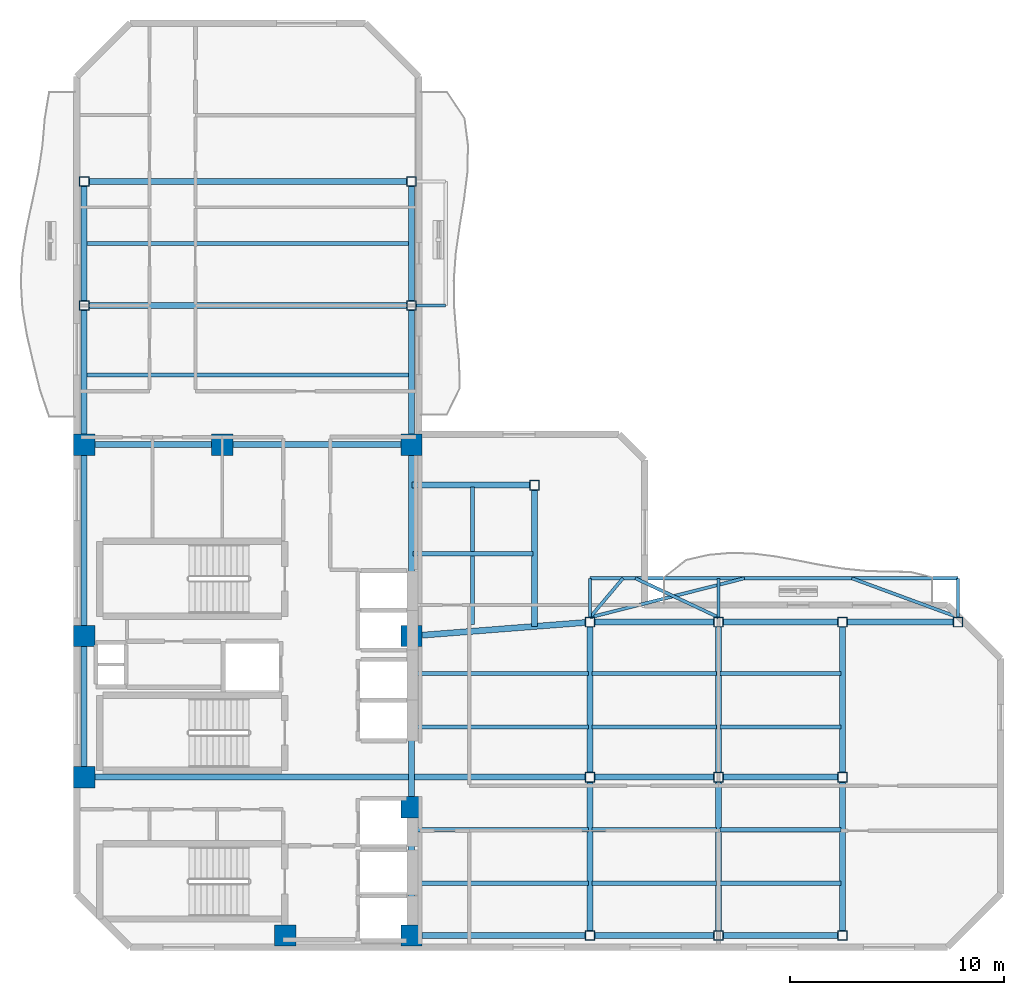
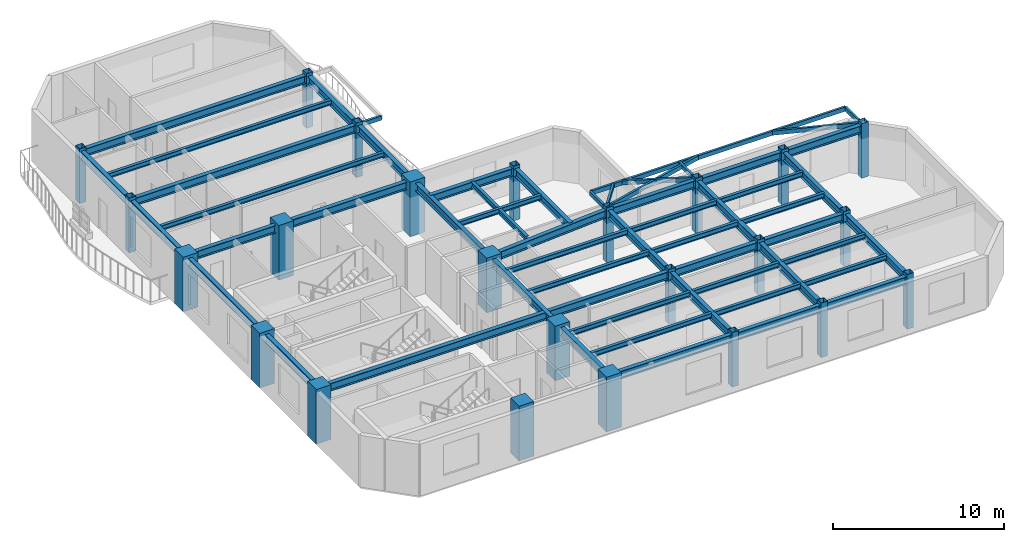
# One storey, part 1 of 8: 56 beams, 24 columns.
"""IFC4 building model written with IfcOpenShell, lengths in metres."""

from ifc_helpers import new_model, si_unit, direction, frame, origin, origin_2d, place, context, subcontext, project, spatial, rectangle, hollow_rectangle, i_section, extrude, material, material_profile, profile_set, type_object, element, save


model = new_model("IFC4")

# Units and contexts
model_context = context("Model", 3, precision=1e-05, world=origin(), true_north=direction((0.0, 1.0)))
body_context = subcontext(model_context, "Body", "Model", "MODEL_VIEW")
ifc_project = project(units=[si_unit("LENGTHUNIT", "METRE"), si_unit("AREAUNIT", "SQUARE_METRE"), si_unit("VOLUMEUNIT", "CUBIC_METRE"), si_unit("PLANEANGLEUNIT", "RADIAN"), si_unit("MASSUNIT", "GRAM", prefix="KILO")], contexts=[model_context])

# Site, building, storey
site_placement = place(None, origin())
site = spatial("IfcSite", under=ifc_project, at=site_placement, CompositionType="ELEMENT")
building_placement = place(site_placement, origin())
building = spatial("IfcBuilding", under=site, at=building_placement, Name="Mawjaban Terraces University", CompositionType="ELEMENT")
storey_placement = place(building_placement, frame((0.0, 0.0, 191.39990234375)))
storey = spatial("IfcBuildingStorey", under=building, at=storey_placement, Name="L46", CompositionType="ELEMENT", Elevation=191.39990234375)

# Columns
ifc_material_1 = material(Name="Concrete C60/75", Category="concrete")
ifc_material_profile_1 = material_profile(ifc_material_1, rectangle(XDim=1.0, YDim=1.0, at=origin_2d()), Name="RC1000X1000")
ifc_profile_set_1 = profile_set([ifc_material_profile_1], Name="Concrete C60/75")
column_type_1 = type_object("IfcColumnType", Name="Col_RC1000X1000", PredefinedType="COLUMN", material=ifc_profile_set_1)
for number, where, z_axis, x_axis, name in (
    (1, (31.75, 0.550048828125, 0.0), (0.0, 0.0, 1.0), (1.0, 0.0, 0.0), "L46 Column CC2"),
    (2, (37.64990234375, 0.550048828125, 0.0), (0.0, 0.0, 1.0), (1.0, 0.0, 0.0), "L46 Column CC3"),
    (3, (22.35009765625, 7.949951171875, 0.0), (0.0, 0.0, 1.0), (1.0, 0.0, 0.0), "L46 Column CC4"),
    (4, (37.64990234375, 6.550048828125, 0.0), (0.0, 0.0, 1.0), (1.0, 0.0, 0.0), "L46 Column CC5"),
    (5, (22.35009765625, 14.550048828125, 0.0), (0.0, 0.0, 1.0), (1.0, 0.0, 0.0), "L46 Column CC6"),
    (6, (37.64990234375, 14.550048828125, 0.0), (0.0, 0.0, 1.0), (1.0, 0.0, 0.0), "L46 Column CC7"),
    (7, (22.35009765625, 23.5, 0.0), (0.0, 0.0, 1.0), (1.0, 0.0, 0.0), "L46 Column CC8"),
    (8, (28.800048828125, 23.5, 0.0), (0.0, 0.0, 1.0), (1.0, 0.0, 0.0), "L46 Column CC9"),
    (9, (37.64990234375, 23.5, 0.0), (0.0, 0.0, 1.0), (1.0, 0.0, 0.0), "L46 Column CC10"),
):
    element("IfcColumn", number, at=place(storey_placement, frame(where, z_axis=z_axis, x_axis=x_axis)), inside=storey, type_object=column_type_1, Name=name, PredefinedType="COLUMN", context=body_context, shape_type="SweptSolid", body=[
        extrude(rectangle(XDim=1.0, YDim=1.0, at=origin_2d()), origin(), (0.0, 0.0, 1.0), 3.900146484375),
    ])
ifc_material_2 = material(Name="Steel EN 10210-1 S355J2H", Category="steel")
ifc_material_profile_2 = material_profile(ifc_material_2, hollow_rectangle(XDim=0.449951171875, YDim=0.449951171875, WallThickness=0.02001953125, at=origin_2d()), Name="SHS450X450X20")
ifc_profile_set_2 = profile_set([ifc_material_profile_2], Name="Steel EN 10210-1 S355J2H")
column_type_2 = type_object("IfcColumnType", Name="Col_SHS450X450X20", PredefinedType="COLUMN", material=ifc_profile_set_2)
for number, where, z_axis, x_axis, name in (
    (10, (46.0, 0.550048828125, 0.0), (0.0, 0.0, 1.0), (1.0, 0.0, 0.0), "L46 Column TE-460-005"),
    (11, (46.0, 7.949951171875, 0.0), (0.0, 0.0, 1.0), (1.0, 0.0, 0.0), "L46 Column TE-460-080"),
    (12, (46.0, 15.199951171875, 0.0), (0.0, 0.0, 1.0), (1.0, 0.0, 0.0), "L46 Column TE-460-152"),
    (13, (52.0, 0.550048828125, 0.0), (0.0, 0.0, 1.0), (1.0, 0.0, 0.0), "L46 Column TE-520-005"),
    (14, (52.0, 7.949951171875, 0.0), (0.0, 0.0, 1.0), (1.0, 0.0, 0.0), "L46 Column TE-520-080"),
    (15, (52.0, 15.199951171875, 0.0), (0.0, 0.0, 1.0), (1.0, 0.0, 0.0), "L46 Column TE-520-152"),
    (16, (57.800048828125, 0.550048828125, 0.0), (0.0, 0.0, 1.0), (1.0, 0.0, 0.0), "L46 Column TE-578-005"),
    (17, (57.800048828125, 7.949951171875, 0.0), (0.0, 0.0, 1.0), (1.0, 0.0, 0.0), "L46 Column TE-578-080"),
    (18, (57.800048828125, 15.199951171875, 0.0), (0.0, 0.0, 1.0), (1.0, 0.0, 0.0), "L46 Column TE-578-152"),
    (19, (63.199951171875, 15.199951171875, 0.0), (0.0, 0.0, 1.0), (1.0, 0.0, 0.0), "L46 Column TE-632-152"),
    (20, (22.35009765625, 30.0, 0.0), (0.0, 0.0, 1.0), (1.0, 0.0, 0.0), "L46 Column TN-223-300"),
    (21, (37.64990234375, 30.0, 0.0), (0.0, 0.0, 1.0), (1.0, 0.0, 0.0), "L46 Column TN-376-300"),
    (22, (22.35009765625, 35.800048828125, 0.0), (0.0, 0.0, 1.0), (1.0, 0.0, 0.0), "L46 Column TN-223-358"),
    (23, (37.64990234375, 35.800048828125, 0.0), (0.0, 0.0, 1.0), (1.0, 0.0, 0.0), "L46 Column TN-376-358"),
    (24, (43.39990234375, 21.60009765625, 0.0), (0.0, 0.0, 1.0), (1.0, 0.0, 0.0), "L46 Column TS-434-216"),
):
    element("IfcColumn", number, at=place(storey_placement, frame(where, z_axis=z_axis, x_axis=x_axis)), inside=storey, type_object=column_type_2, Name=name, PredefinedType="COLUMN", context=body_context, shape_type="SweptSolid", body=[
        extrude(hollow_rectangle(XDim=0.449951171875, YDim=0.449951171875, WallThickness=0.02001953125, at=origin_2d()), origin(), (0.0, 0.0, 1.0), 3.900146484375),
    ])

# Beams
ifc_material_profile_3 = material_profile(ifc_material_2, hollow_rectangle(XDim=0.14990234375, YDim=0.300048828125, WallThickness=0.012451171875, at=origin_2d()), Name="RHS300X150X12.5")
ifc_profile_set_3 = profile_set([ifc_material_profile_3], Name="Steel EN 10210-1 S355J2H")
beam_type_1 = type_object("IfcBeamType", Name="BalconyCantileverSpandrel_RHS", PredefinedType="SPANDREL", material=ifc_profile_set_3)
for number, where, z_axis, x_axis, name in (
    (25, (46.0, 15.425048828125, 3.5400390625), (0.0, 1.0, 0.0), (-1.0, 0.0, 0.0), "L46 Exterior Outrigger BAL-L47-N.1"),
    (26, (63.199951171875, 15.425048828125, 3.5400390625), (0.0, 1.0, 0.0), (-1.0, 0.0, 0.0), "L46 Exterior Outrigger BAL-L47-N.2"),
):
    element("IfcBeam", number, at=place(storey_placement, frame(where, z_axis=z_axis, x_axis=x_axis)), inside=storey, type_object=beam_type_1, Name=name, PredefinedType="SPANDREL", context=body_context, shape_type="SweptSolid", body=[
        extrude(hollow_rectangle(XDim=0.14990234375, YDim=0.300048828125, WallThickness=0.012451171875, at=origin_2d()), origin(), (0.0, 0.0, 1.0), 1.824951171875),
    ])
beam_1_placement = place(storey_placement, frame((46.0, 17.25, 3.5400390625), z_axis=(1.0, 0.0, 0.0), x_axis=(0.0, 1.0, 0.0)))
element("IfcBeam", 27, at=beam_1_placement, inside=storey, type_object=beam_type_1, Name="L46 Exterior Edge Spandrel BAL-L47-N", PredefinedType="SPANDREL", context=body_context, shape_type="SweptSolid", body=[
    extrude(hollow_rectangle(XDim=0.14990234375, YDim=0.300048828125, WallThickness=0.012451171875, at=origin_2d()), origin(), (0.0, 0.0, 1.0), 17.199951171875),
])
beam_2_placement = place(storey_placement, frame((46.0, 15.425048828125, 3.5400390625), z_axis=(0.969469206646, 0.245213085632, 0.0), x_axis=(-0.245213085632, 0.969469206646, 0.0)))
element("IfcBeam", 28, at=beam_2_placement, inside=storey, type_object=beam_type_1, Name="L46 Exterior Diagonal Strut BAL-L47-N.1", PredefinedType="SPANDREL", context=body_context, shape_type="SweptSolid", body=[
    extrude(hollow_rectangle(XDim=0.14990234375, YDim=0.300048828125, WallThickness=0.012451171875, at=origin_2d()), origin(), (0.0, 0.0, 1.0), 7.4423828125),
])
beam_3_placement = place(storey_placement, frame((63.199951171875, 15.425048828125, 3.5400390625), z_axis=(-0.938600534074, 0.345005851308, 0.0), x_axis=(-0.345005851308, -0.938600534074, 0.0)))
element("IfcBeam", 29, at=beam_3_placement, inside=storey, type_object=beam_type_1, Name="L46 Exterior Diagonal Strut BAL-L47-N.2", PredefinedType="SPANDREL", context=body_context, shape_type="SweptSolid", body=[
    extrude(hollow_rectangle(XDim=0.14990234375, YDim=0.300048828125, WallThickness=0.012451171875, at=origin_2d()), origin(), (0.0, 0.0, 1.0), 5.28955078125),
])
beam_4_placement = place(storey_placement, frame((37.875, 30.0, 3.5400390625), z_axis=(1.0, 0.0, 0.0), x_axis=(0.0, 1.0, 0.0)))
element("IfcBeam", 30, at=beam_4_placement, inside=storey, type_object=beam_type_1, Name="L46 Exterior Outrigger BAL-L47-E.1", PredefinedType="SPANDREL", context=body_context, shape_type="SweptSolid", body=[
    extrude(hollow_rectangle(XDim=0.14990234375, YDim=0.300048828125, WallThickness=0.012451171875, at=origin_2d()), origin(), (0.0, 0.0, 1.0), 1.375),
])
beam_5_placement = place(storey_placement, frame((52.0, 15.425048828125, 3.5400390625), z_axis=(0.0, 1.0, 0.0), x_axis=(-1.0, 0.0, 0.0)))
element("IfcBeam", 31, at=beam_5_placement, inside=storey, type_object=beam_type_1, Name="L46 Exterior Outrigger TER-L47-CLIMB.2", PredefinedType="SPANDREL", context=body_context, shape_type="SweptSolid", body=[
    extrude(hollow_rectangle(XDim=0.14990234375, YDim=0.300048828125, WallThickness=0.012451171875, at=origin_2d()), origin(), (0.0, 0.0, 1.0), 1.824951171875),
])
beam_6_placement = place(storey_placement, frame((46.0, 15.425048828125, 3.5400390625), z_axis=(0.643672173111, 0.765301335137, 0.0), x_axis=(-0.765301335137, 0.643672173111, 0.0)))
element("IfcBeam", 32, at=beam_6_placement, inside=storey, type_object=beam_type_1, Name="L46 Exterior Diagonal Strut TER-L47-CLIMB.1", PredefinedType="SPANDREL", context=body_context, shape_type="SweptSolid", body=[
    extrude(hollow_rectangle(XDim=0.14990234375, YDim=0.300048828125, WallThickness=0.012451171875, at=origin_2d()), origin(), (0.0, 0.0, 1.0), 2.384521484375),
])
beam_7_placement = place(storey_placement, frame((52.0, 15.425048828125, 3.5400390625), z_axis=(-0.905113674893, 0.425169654988, 0.0), x_axis=(-0.425169654988, -0.905113674893, 0.0)))
element("IfcBeam", 33, at=beam_7_placement, inside=storey, type_object=beam_type_1, Name="L46 Exterior Diagonal Strut TER-L47-CLIMB.2", PredefinedType="SPANDREL", context=body_context, shape_type="SweptSolid", body=[
    extrude(hollow_rectangle(XDim=0.14990234375, YDim=0.300048828125, WallThickness=0.012451171875, at=origin_2d()), origin(), (0.0, 0.0, 1.0), 4.292236328125),
])
ifc_material_3 = material(Name="Steel ASTM A572 Grade 50", Category="steel")
ifc_material_profile_4 = material_profile(ifc_material_3, i_section(OverallWidth=0.281005859375, OverallDepth=0.551025390625, WebThickness=0.01513671875, FlangeThickness=0.02587890625, at=origin_2d()), Name="W530X182")
ifc_profile_set_4 = profile_set([ifc_material_profile_4], Name="Steel ASTM A572 Grade 50")
beam_type_2 = type_object("IfcBeamType", Name="Beam_B_W530X182", PredefinedType="BEAM", material=ifc_profile_set_4)
beam_8_placement = place(storey_placement, frame((38.14990234375, 0.550048828125, 3.4150390625), z_axis=(1.0, 0.0, 0.0), x_axis=(0.0, 1.0, 0.0)))
element("IfcBeam", 34, at=beam_8_placement, inside=storey, type_object=beam_type_2, Name="L46 Beam BM-L46-EW-01", PredefinedType="BEAM", context=body_context, shape_type="SweptSolid", body=[
    extrude(i_section(OverallWidth=0.281005859375, OverallDepth=0.551025390625, WebThickness=0.01513671875, FlangeThickness=0.02587890625, at=origin_2d()), origin(), (0.0, 0.0, 1.0), 7.625),
])
beam_9_placement = place(storey_placement, frame((46.22509765625, 0.550048828125, 3.4150390625), z_axis=(1.0, 0.0, 0.0), x_axis=(0.0, 1.0, 0.0)))
element("IfcBeam", 35, at=beam_9_placement, inside=storey, type_object=beam_type_2, Name="L46 Beam BM-L46-EW-02", PredefinedType="BEAM", context=body_context, shape_type="SweptSolid", body=[
    extrude(i_section(OverallWidth=0.281005859375, OverallDepth=0.551025390625, WebThickness=0.01513671875, FlangeThickness=0.02587890625, at=origin_2d()), origin(), (0.0, 0.0, 1.0), 5.5498046875),
])
beam_10_placement = place(storey_placement, frame((52.22509765625, 0.550048828125, 3.4150390625), z_axis=(1.0, 0.0, 0.0), x_axis=(0.0, 1.0, 0.0)))
element("IfcBeam", 36, at=beam_10_placement, inside=storey, type_object=beam_type_2, Name="L46 Beam BM-L46-EW-03", PredefinedType="BEAM", context=body_context, shape_type="SweptSolid", body=[
    extrude(i_section(OverallWidth=0.281005859375, OverallDepth=0.551025390625, WebThickness=0.01513671875, FlangeThickness=0.02587890625, at=origin_2d()), origin(), (0.0, 0.0, 1.0), 5.349853515625),
])
beam_11_placement = place(storey_placement, frame((22.85009765625, 7.949951171875, 3.4150390625), z_axis=(1.0, 0.0, 0.0), x_axis=(0.0, 1.0, 0.0)))
element("IfcBeam", 37, at=beam_11_placement, inside=storey, type_object=beam_type_2, Name="L46 Beam BM-L46-EW-04", PredefinedType="BEAM", context=body_context, shape_type="SweptSolid", body=[
    extrude(i_section(OverallWidth=0.281005859375, OverallDepth=0.551025390625, WebThickness=0.01513671875, FlangeThickness=0.02587890625, at=origin_2d()), origin(), (0.0, 0.0, 1.0), 22.9248046875),
])
beam_12_placement = place(storey_placement, frame((46.22509765625, 7.949951171875, 3.4150390625), z_axis=(1.0, 0.0, 0.0), x_axis=(0.0, 1.0, 0.0)))
element("IfcBeam", 38, at=beam_12_placement, inside=storey, type_object=beam_type_2, Name="L46 Beam BM-L46-EW-05", PredefinedType="BEAM", context=body_context, shape_type="SweptSolid", body=[
    extrude(i_section(OverallWidth=0.281005859375, OverallDepth=0.551025390625, WebThickness=0.01513671875, FlangeThickness=0.02587890625, at=origin_2d()), origin(), (0.0, 0.0, 1.0), 5.5498046875),
])
beam_13_placement = place(storey_placement, frame((52.22509765625, 7.949951171875, 3.4150390625), z_axis=(1.0, 0.0, 0.0), x_axis=(0.0, 1.0, 0.0)))
element("IfcBeam", 39, at=beam_13_placement, inside=storey, type_object=beam_type_2, Name="L46 Beam BM-L46-EW-06", PredefinedType="BEAM", context=body_context, shape_type="SweptSolid", body=[
    extrude(i_section(OverallWidth=0.281005859375, OverallDepth=0.551025390625, WebThickness=0.01513671875, FlangeThickness=0.02587890625, at=origin_2d()), origin(), (0.0, 0.0, 1.0), 5.349853515625),
])
beam_14_placement = place(storey_placement, frame((46.22509765625, 15.199951171875, 3.4150390625), z_axis=(1.0, 0.0, 0.0), x_axis=(0.0, 1.0, 0.0)))
element("IfcBeam", 40, at=beam_14_placement, inside=storey, type_object=beam_type_2, Name="L46 Beam BM-L46-EW-07", PredefinedType="BEAM", context=body_context, shape_type="SweptSolid", body=[
    extrude(i_section(OverallWidth=0.281005859375, OverallDepth=0.551025390625, WebThickness=0.01513671875, FlangeThickness=0.02587890625, at=origin_2d()), origin(), (0.0, 0.0, 1.0), 5.5498046875),
])
beam_15_placement = place(storey_placement, frame((52.22509765625, 15.199951171875, 3.4150390625), z_axis=(1.0, 0.0, 0.0), x_axis=(0.0, 1.0, 0.0)))
element("IfcBeam", 41, at=beam_15_placement, inside=storey, type_object=beam_type_2, Name="L46 Beam BM-L46-EW-08", PredefinedType="BEAM", context=body_context, shape_type="SweptSolid", body=[
    extrude(i_section(OverallWidth=0.281005859375, OverallDepth=0.551025390625, WebThickness=0.01513671875, FlangeThickness=0.02587890625, at=origin_2d()), origin(), (0.0, 0.0, 1.0), 5.349853515625),
])
beam_16_placement = place(storey_placement, frame((58.02490234375, 15.199951171875, 3.4150390625), z_axis=(1.0, 0.0, 0.0), x_axis=(0.0, 1.0, 0.0)))
element("IfcBeam", 42, at=beam_16_placement, inside=storey, type_object=beam_type_2, Name="L46 Beam BM-L46-EW-09", PredefinedType="BEAM", context=body_context, shape_type="SweptSolid", body=[
    extrude(i_section(OverallWidth=0.281005859375, OverallDepth=0.551025390625, WebThickness=0.01513671875, FlangeThickness=0.02587890625, at=origin_2d()), origin(), (0.0, 0.0, 1.0), 4.9501953125),
])
beam_17_placement = place(storey_placement, frame((22.85009765625, 23.5, 3.4150390625), z_axis=(1.0, 0.0, 0.0), x_axis=(0.0, 1.0, 0.0)))
element("IfcBeam", 43, at=beam_17_placement, inside=storey, type_object=beam_type_2, Name="L46 Beam BM-L46-EW-10", PredefinedType="BEAM", context=body_context, shape_type="SweptSolid", body=[
    extrude(i_section(OverallWidth=0.281005859375, OverallDepth=0.551025390625, WebThickness=0.01513671875, FlangeThickness=0.02587890625, at=origin_2d()), origin(), (0.0, 0.0, 1.0), 5.449951171875),
])
beam_18_placement = place(storey_placement, frame((29.300048828125, 23.5, 3.4150390625), z_axis=(1.0, 0.0, 0.0), x_axis=(0.0, 1.0, 0.0)))
element("IfcBeam", 44, at=beam_18_placement, inside=storey, type_object=beam_type_2, Name="L46 Beam BM-L46-EW-11", PredefinedType="BEAM", context=body_context, shape_type="SweptSolid", body=[
    extrude(i_section(OverallWidth=0.281005859375, OverallDepth=0.551025390625, WebThickness=0.01513671875, FlangeThickness=0.02587890625, at=origin_2d()), origin(), (0.0, 0.0, 1.0), 7.849853515625),
])
for number, where, z_axis, x_axis, name in (
    (45, (22.574951171875, 30.0, 3.4150390625), (1.0, 0.0, 0.0), (0.0, 1.0, 0.0), "L46 Beam BM-L46-EW-12"),
    (46, (22.574951171875, 35.800048828125, 3.4150390625), (1.0, 0.0, 0.0), (0.0, 1.0, 0.0), "L46 Beam BM-L46-EW-13"),
):
    element("IfcBeam", number, at=place(storey_placement, frame(where, z_axis=z_axis, x_axis=x_axis)), inside=storey, type_object=beam_type_2, Name=name, PredefinedType="BEAM", context=body_context, shape_type="SweptSolid", body=[
        extrude(i_section(OverallWidth=0.281005859375, OverallDepth=0.551025390625, WebThickness=0.01513671875, FlangeThickness=0.02587890625, at=origin_2d()), origin(), (0.0, 0.0, 1.0), 14.85009765625),
    ])
beam_19_placement = place(storey_placement, frame((22.35009765625, 8.449951171875, 3.4150390625), z_axis=(0.0, 1.0, 0.0), x_axis=(-1.0, 0.0, 0.0)))
element("IfcBeam", 47, at=beam_19_placement, inside=storey, type_object=beam_type_2, Name="L46 Beam BM-L46-NS-01", PredefinedType="BEAM", context=body_context, shape_type="SweptSolid", body=[
    extrude(i_section(OverallWidth=0.281005859375, OverallDepth=0.551025390625, WebThickness=0.01513671875, FlangeThickness=0.02587890625, at=origin_2d()), origin(), (0.0, 0.0, 1.0), 5.60009765625),
])
beam_20_placement = place(storey_placement, frame((22.35009765625, 15.050048828125, 3.4150390625), z_axis=(0.0, 1.0, 0.0), x_axis=(-1.0, 0.0, 0.0)))
element("IfcBeam", 48, at=beam_20_placement, inside=storey, type_object=beam_type_2, Name="L46 Beam BM-L46-NS-02", PredefinedType="BEAM", context=body_context, shape_type="SweptSolid", body=[
    extrude(i_section(OverallWidth=0.281005859375, OverallDepth=0.551025390625, WebThickness=0.01513671875, FlangeThickness=0.02587890625, at=origin_2d()), origin(), (0.0, 0.0, 1.0), 7.949951171875),
])
beam_21_placement = place(storey_placement, frame((22.35009765625, 24.0, 3.4150390625), z_axis=(0.0, 1.0, 0.0), x_axis=(-1.0, 0.0, 0.0)))
element("IfcBeam", 49, at=beam_21_placement, inside=storey, type_object=beam_type_2, Name="L46 Beam BM-L46-NS-03", PredefinedType="BEAM", context=body_context, shape_type="SweptSolid", body=[
    extrude(i_section(OverallWidth=0.281005859375, OverallDepth=0.551025390625, WebThickness=0.01513671875, FlangeThickness=0.02587890625, at=origin_2d()), origin(), (0.0, 0.0, 1.0), 5.77490234375),
])
beam_22_placement = place(storey_placement, frame((22.35009765625, 30.22509765625, 3.4150390625), z_axis=(0.0, 1.0, 0.0), x_axis=(-1.0, 0.0, 0.0)))
element("IfcBeam", 50, at=beam_22_placement, inside=storey, type_object=beam_type_2, Name="L46 Beam BM-L46-NS-04", PredefinedType="BEAM", context=body_context, shape_type="SweptSolid", body=[
    extrude(i_section(OverallWidth=0.281005859375, OverallDepth=0.551025390625, WebThickness=0.01513671875, FlangeThickness=0.02587890625, at=origin_2d()), origin(), (0.0, 0.0, 1.0), 5.349853515625),
])
beam_23_placement = place(storey_placement, frame((37.64990234375, 1.050048828125, 3.4150390625), z_axis=(0.0, 1.0, 0.0), x_axis=(-1.0, 0.0, 0.0)))
element("IfcBeam", 51, at=beam_23_placement, inside=storey, type_object=beam_type_2, Name="L46 Beam BM-L46-NS-05", PredefinedType="BEAM", context=body_context, shape_type="SweptSolid", body=[
    extrude(i_section(OverallWidth=0.281005859375, OverallDepth=0.551025390625, WebThickness=0.01513671875, FlangeThickness=0.02587890625, at=origin_2d()), origin(), (0.0, 0.0, 1.0), 5.0),
])
beam_24_placement = place(storey_placement, frame((37.64990234375, 7.050048828125, 3.4150390625), z_axis=(0.0, 1.0, 0.0), x_axis=(-1.0, 0.0, 0.0)))
element("IfcBeam", 52, at=beam_24_placement, inside=storey, type_object=beam_type_2, Name="L46 Beam BM-L46-NS-06", PredefinedType="BEAM", context=body_context, shape_type="SweptSolid", body=[
    extrude(i_section(OverallWidth=0.281005859375, OverallDepth=0.551025390625, WebThickness=0.01513671875, FlangeThickness=0.02587890625, at=origin_2d()), origin(), (0.0, 0.0, 1.0), 7.0),
])
beam_25_placement = place(storey_placement, frame((37.64990234375, 15.050048828125, 3.4150390625), z_axis=(0.0, 1.0, 0.0), x_axis=(-1.0, 0.0, 0.0)))
element("IfcBeam", 53, at=beam_25_placement, inside=storey, type_object=beam_type_2, Name="L46 Beam BM-L46-NS-07", PredefinedType="BEAM", context=body_context, shape_type="SweptSolid", body=[
    extrude(i_section(OverallWidth=0.281005859375, OverallDepth=0.551025390625, WebThickness=0.01513671875, FlangeThickness=0.02587890625, at=origin_2d()), origin(), (0.0, 0.0, 1.0), 7.949951171875),
])
beam_26_placement = place(storey_placement, frame((37.64990234375, 24.0, 3.4150390625), z_axis=(0.0, 1.0, 0.0), x_axis=(-1.0, 0.0, 0.0)))
element("IfcBeam", 54, at=beam_26_placement, inside=storey, type_object=beam_type_2, Name="L46 Beam BM-L46-NS-08", PredefinedType="BEAM", context=body_context, shape_type="SweptSolid", body=[
    extrude(i_section(OverallWidth=0.281005859375, OverallDepth=0.551025390625, WebThickness=0.01513671875, FlangeThickness=0.02587890625, at=origin_2d()), origin(), (0.0, 0.0, 1.0), 5.77490234375),
])
beam_27_placement = place(storey_placement, frame((37.64990234375, 30.22509765625, 3.4150390625), z_axis=(0.0, 1.0, 0.0), x_axis=(-1.0, 0.0, 0.0)))
element("IfcBeam", 55, at=beam_27_placement, inside=storey, type_object=beam_type_2, Name="L46 Beam BM-L46-NS-09", PredefinedType="BEAM", context=body_context, shape_type="SweptSolid", body=[
    extrude(i_section(OverallWidth=0.281005859375, OverallDepth=0.551025390625, WebThickness=0.01513671875, FlangeThickness=0.02587890625, at=origin_2d()), origin(), (0.0, 0.0, 1.0), 5.349853515625),
])
beam_28_placement = place(storey_placement, frame((46.0, 0.77490234375, 3.4150390625), z_axis=(0.0, 1.0, 0.0), x_axis=(-1.0, 0.0, 0.0)))
element("IfcBeam", 56, at=beam_28_placement, inside=storey, type_object=beam_type_2, Name="L46 Beam BM-L46-NS-10", PredefinedType="BEAM", context=body_context, shape_type="SweptSolid", body=[
    extrude(i_section(OverallWidth=0.281005859375, OverallDepth=0.551025390625, WebThickness=0.01513671875, FlangeThickness=0.02587890625, at=origin_2d()), origin(), (0.0, 0.0, 1.0), 6.9501953125),
])
beam_29_placement = place(storey_placement, frame((46.0, 8.175048828125, 3.4150390625), z_axis=(0.0, 1.0, 0.0), x_axis=(-1.0, 0.0, 0.0)))
element("IfcBeam", 57, at=beam_29_placement, inside=storey, type_object=beam_type_2, Name="L46 Beam BM-L46-NS-11", PredefinedType="BEAM", context=body_context, shape_type="SweptSolid", body=[
    extrude(i_section(OverallWidth=0.281005859375, OverallDepth=0.551025390625, WebThickness=0.01513671875, FlangeThickness=0.02587890625, at=origin_2d()), origin(), (0.0, 0.0, 1.0), 6.800048828125),
])
beam_30_placement = place(storey_placement, frame((52.0, 0.77490234375, 3.4150390625), z_axis=(0.0, 1.0, 0.0), x_axis=(-1.0, 0.0, 0.0)))
element("IfcBeam", 58, at=beam_30_placement, inside=storey, type_object=beam_type_2, Name="L46 Beam BM-L46-NS-12", PredefinedType="BEAM", context=body_context, shape_type="SweptSolid", body=[
    extrude(i_section(OverallWidth=0.281005859375, OverallDepth=0.551025390625, WebThickness=0.01513671875, FlangeThickness=0.02587890625, at=origin_2d()), origin(), (0.0, 0.0, 1.0), 6.9501953125),
])
beam_31_placement = place(storey_placement, frame((52.0, 8.175048828125, 3.4150390625), z_axis=(0.0, 1.0, 0.0), x_axis=(-1.0, 0.0, 0.0)))
element("IfcBeam", 59, at=beam_31_placement, inside=storey, type_object=beam_type_2, Name="L46 Beam BM-L46-NS-13", PredefinedType="BEAM", context=body_context, shape_type="SweptSolid", body=[
    extrude(i_section(OverallWidth=0.281005859375, OverallDepth=0.551025390625, WebThickness=0.01513671875, FlangeThickness=0.02587890625, at=origin_2d()), origin(), (0.0, 0.0, 1.0), 6.800048828125),
])
beam_32_placement = place(storey_placement, frame((57.800048828125, 0.77490234375, 3.4150390625), z_axis=(0.0, 1.0, 0.0), x_axis=(-1.0, 0.0, 0.0)))
element("IfcBeam", 60, at=beam_32_placement, inside=storey, type_object=beam_type_2, Name="L46 Beam BM-L46-NS-14", PredefinedType="BEAM", context=body_context, shape_type="SweptSolid", body=[
    extrude(i_section(OverallWidth=0.281005859375, OverallDepth=0.551025390625, WebThickness=0.01513671875, FlangeThickness=0.02587890625, at=origin_2d()), origin(), (0.0, 0.0, 1.0), 6.9501953125),
])
beam_33_placement = place(storey_placement, frame((57.800048828125, 8.175048828125, 3.4150390625), z_axis=(0.0, 1.0, 0.0), x_axis=(-1.0, 0.0, 0.0)))
element("IfcBeam", 61, at=beam_33_placement, inside=storey, type_object=beam_type_2, Name="L46 Beam BM-L46-NS-15", PredefinedType="BEAM", context=body_context, shape_type="SweptSolid", body=[
    extrude(i_section(OverallWidth=0.281005859375, OverallDepth=0.551025390625, WebThickness=0.01513671875, FlangeThickness=0.02587890625, at=origin_2d()), origin(), (0.0, 0.0, 1.0), 6.800048828125),
])
beam_34_placement = place(storey_placement, frame((38.14794921875, 14.589111328125, 3.4150390625), z_axis=(0.99698177718, 0.077635919341, 0.0), x_axis=(-0.077635919341, 0.99698177718, 0.0)))
element("IfcBeam", 62, at=beam_34_placement, inside=storey, type_object=beam_type_2, Name="L46 Beam BM-L46-CTIE", PredefinedType="BEAM", context=body_context, shape_type="SweptSolid", body=[
    extrude(i_section(OverallWidth=0.281005859375, OverallDepth=0.551025390625, WebThickness=0.01513671875, FlangeThickness=0.02587890625, at=origin_2d()), origin(), (0.0, 0.0, 1.0), 7.651123046875),
])
beam_35_placement = place(storey_placement, frame((37.679931640625, 21.60009765625, 3.4150390625), z_axis=(1.0, 0.0, 0.0), x_axis=(0.0, 1.0, 0.0)))
element("IfcBeam", 63, at=beam_35_placement, inside=storey, type_object=beam_type_2, Name="L46 Spur Tie Girder West", PredefinedType="BEAM", context=body_context, shape_type="SweptSolid", body=[
    extrude(i_section(OverallWidth=0.281005859375, OverallDepth=0.551025390625, WebThickness=0.01513671875, FlangeThickness=0.02587890625, at=origin_2d()), origin(), (0.0, 0.0, 1.0), 5.4951171875),
])
beam_36_placement = place(storey_placement, frame((43.39990234375, 15.0, 3.4150390625), z_axis=(0.0, 1.0, 0.0), x_axis=(-1.0, 0.0, 0.0)))
element("IfcBeam", 64, at=beam_36_placement, inside=storey, type_object=beam_type_2, Name="L46 Spur Tie Girder South", PredefinedType="BEAM", context=body_context, shape_type="SweptSolid", body=[
    extrude(i_section(OverallWidth=0.281005859375, OverallDepth=0.551025390625, WebThickness=0.01513671875, FlangeThickness=0.02587890625, at=origin_2d()), origin(), (0.0, 0.0, 1.0), 6.375),
])
ifc_material_profile_5 = material_profile(ifc_material_3, i_section(OverallWidth=0.202880859375, OverallDepth=0.346923828125, WebThickness=0.0078125, FlangeThickness=0.013427734375, at=origin_2d()), Name="W360X64")
ifc_profile_set_5 = profile_set([ifc_material_profile_5], Name="Steel ASTM A572 Grade 50")
beam_type_3 = type_object("IfcBeamType", Name="Beam_J_W360X64", PredefinedType="JOIST", material=ifc_profile_set_5)
beam_37_placement = place(storey_placement, frame((37.72998046875, 3.0, 3.51708984375), z_axis=(1.0, 0.0, 0.0), x_axis=(0.0, 1.0, 0.0)))
element("IfcBeam", 65, at=beam_37_placement, inside=storey, type_object=beam_type_3, Name="L46 Composite Joist JST-L46-01", PredefinedType="JOIST", context=body_context, shape_type="SweptSolid", body=[
    extrude(i_section(OverallWidth=0.202880859375, OverallDepth=0.346923828125, WebThickness=0.0078125, FlangeThickness=0.013427734375, at=origin_2d()), origin(), (0.0, 0.0, 1.0), 8.18994140625),
])
beam_38_placement = place(storey_placement, frame((46.080078125, 3.0, 3.51708984375), z_axis=(1.0, 0.0, 0.0), x_axis=(0.0, 1.0, 0.0)))
element("IfcBeam", 66, at=beam_38_placement, inside=storey, type_object=beam_type_3, Name="L46 Composite Joist JST-L46-02", PredefinedType="JOIST", context=body_context, shape_type="SweptSolid", body=[
    extrude(i_section(OverallWidth=0.202880859375, OverallDepth=0.346923828125, WebThickness=0.0078125, FlangeThickness=0.013427734375, at=origin_2d()), origin(), (0.0, 0.0, 1.0), 5.83984375),
])
beam_39_placement = place(storey_placement, frame((52.080078125, 3.0, 3.51708984375), z_axis=(1.0, 0.0, 0.0), x_axis=(0.0, 1.0, 0.0)))
element("IfcBeam", 67, at=beam_39_placement, inside=storey, type_object=beam_type_3, Name="L46 Composite Joist JST-L46-03", PredefinedType="JOIST", context=body_context, shape_type="SweptSolid", body=[
    extrude(i_section(OverallWidth=0.202880859375, OverallDepth=0.346923828125, WebThickness=0.0078125, FlangeThickness=0.013427734375, at=origin_2d()), origin(), (0.0, 0.0, 1.0), 5.639892578125),
])
beam_40_placement = place(storey_placement, frame((37.72998046875, 5.5, 3.51708984375), z_axis=(1.0, 0.0, 0.0), x_axis=(0.0, 1.0, 0.0)))
element("IfcBeam", 68, at=beam_40_placement, inside=storey, type_object=beam_type_3, Name="L46 Composite Joist JST-L46-04", PredefinedType="JOIST", context=body_context, shape_type="SweptSolid", body=[
    extrude(i_section(OverallWidth=0.202880859375, OverallDepth=0.346923828125, WebThickness=0.0078125, FlangeThickness=0.013427734375, at=origin_2d()), origin(), (0.0, 0.0, 1.0), 8.18994140625),
])
beam_41_placement = place(storey_placement, frame((46.080078125, 5.5, 3.51708984375), z_axis=(1.0, 0.0, 0.0), x_axis=(0.0, 1.0, 0.0)))
element("IfcBeam", 69, at=beam_41_placement, inside=storey, type_object=beam_type_3, Name="L46 Composite Joist JST-L46-05", PredefinedType="JOIST", context=body_context, shape_type="SweptSolid", body=[
    extrude(i_section(OverallWidth=0.202880859375, OverallDepth=0.346923828125, WebThickness=0.0078125, FlangeThickness=0.013427734375, at=origin_2d()), origin(), (0.0, 0.0, 1.0), 5.83984375),
])
beam_42_placement = place(storey_placement, frame((52.080078125, 5.5, 3.51708984375), z_axis=(1.0, 0.0, 0.0), x_axis=(0.0, 1.0, 0.0)))
element("IfcBeam", 70, at=beam_42_placement, inside=storey, type_object=beam_type_3, Name="L46 Composite Joist JST-L46-06", PredefinedType="JOIST", context=body_context, shape_type="SweptSolid", body=[
    extrude(i_section(OverallWidth=0.202880859375, OverallDepth=0.346923828125, WebThickness=0.0078125, FlangeThickness=0.013427734375, at=origin_2d()), origin(), (0.0, 0.0, 1.0), 5.639892578125),
])
beam_43_placement = place(storey_placement, frame((37.72998046875, 10.300048828125, 3.51708984375), z_axis=(1.0, 0.0, 0.0), x_axis=(0.0, 1.0, 0.0)))
element("IfcBeam", 71, at=beam_43_placement, inside=storey, type_object=beam_type_3, Name="L46 Composite Joist JST-L46-07", PredefinedType="JOIST", context=body_context, shape_type="SweptSolid", body=[
    extrude(i_section(OverallWidth=0.202880859375, OverallDepth=0.346923828125, WebThickness=0.0078125, FlangeThickness=0.013427734375, at=origin_2d()), origin(), (0.0, 0.0, 1.0), 8.18994140625),
])
beam_44_placement = place(storey_placement, frame((46.080078125, 10.300048828125, 3.51708984375), z_axis=(1.0, 0.0, 0.0), x_axis=(0.0, 1.0, 0.0)))
element("IfcBeam", 72, at=beam_44_placement, inside=storey, type_object=beam_type_3, Name="L46 Composite Joist JST-L46-08", PredefinedType="JOIST", context=body_context, shape_type="SweptSolid", body=[
    extrude(i_section(OverallWidth=0.202880859375, OverallDepth=0.346923828125, WebThickness=0.0078125, FlangeThickness=0.013427734375, at=origin_2d()), origin(), (0.0, 0.0, 1.0), 5.83984375),
])
beam_45_placement = place(storey_placement, frame((52.080078125, 10.300048828125, 3.51708984375), z_axis=(1.0, 0.0, 0.0), x_axis=(0.0, 1.0, 0.0)))
element("IfcBeam", 73, at=beam_45_placement, inside=storey, type_object=beam_type_3, Name="L46 Composite Joist JST-L46-09", PredefinedType="JOIST", context=body_context, shape_type="SweptSolid", body=[
    extrude(i_section(OverallWidth=0.202880859375, OverallDepth=0.346923828125, WebThickness=0.0078125, FlangeThickness=0.013427734375, at=origin_2d()), origin(), (0.0, 0.0, 1.0), 5.639892578125),
])
beam_46_placement = place(storey_placement, frame((37.72998046875, 12.800048828125, 3.51708984375), z_axis=(1.0, 0.0, 0.0), x_axis=(0.0, 1.0, 0.0)))
element("IfcBeam", 74, at=beam_46_placement, inside=storey, type_object=beam_type_3, Name="L46 Composite Joist JST-L46-10", PredefinedType="JOIST", context=body_context, shape_type="SweptSolid", body=[
    extrude(i_section(OverallWidth=0.202880859375, OverallDepth=0.346923828125, WebThickness=0.0078125, FlangeThickness=0.013427734375, at=origin_2d()), origin(), (0.0, 0.0, 1.0), 8.18994140625),
])
beam_47_placement = place(storey_placement, frame((46.080078125, 12.800048828125, 3.51708984375), z_axis=(1.0, 0.0, 0.0), x_axis=(0.0, 1.0, 0.0)))
element("IfcBeam", 75, at=beam_47_placement, inside=storey, type_object=beam_type_3, Name="L46 Composite Joist JST-L46-11", PredefinedType="JOIST", context=body_context, shape_type="SweptSolid", body=[
    extrude(i_section(OverallWidth=0.202880859375, OverallDepth=0.346923828125, WebThickness=0.0078125, FlangeThickness=0.013427734375, at=origin_2d()), origin(), (0.0, 0.0, 1.0), 5.83984375),
])
beam_48_placement = place(storey_placement, frame((52.080078125, 12.800048828125, 3.51708984375), z_axis=(1.0, 0.0, 0.0), x_axis=(0.0, 1.0, 0.0)))
element("IfcBeam", 76, at=beam_48_placement, inside=storey, type_object=beam_type_3, Name="L46 Composite Joist JST-L46-12", PredefinedType="JOIST", context=body_context, shape_type="SweptSolid", body=[
    extrude(i_section(OverallWidth=0.202880859375, OverallDepth=0.346923828125, WebThickness=0.0078125, FlangeThickness=0.013427734375, at=origin_2d()), origin(), (0.0, 0.0, 1.0), 5.639892578125),
])
beam_49_placement = place(storey_placement, frame((37.72998046875, 18.39990234375, 3.51708984375), z_axis=(1.0, 0.0, 0.0), x_axis=(0.0, 1.0, 0.0)))
element("IfcBeam", 77, at=beam_49_placement, inside=storey, type_object=beam_type_3, Name="L46 Composite Joist JST-L46-13", PredefinedType="JOIST", context=body_context, shape_type="SweptSolid", body=[
    extrude(i_section(OverallWidth=0.202880859375, OverallDepth=0.346923828125, WebThickness=0.0078125, FlangeThickness=0.013427734375, at=origin_2d()), origin(), (0.0, 0.0, 1.0), 5.590087890625),
])
for number, where, z_axis, x_axis, name in (
    (78, (22.429931640625, 26.75, 3.51708984375), (1.0, 0.0, 0.0), (0.0, 1.0, 0.0), "L46 Composite Joist JST-L46-14"),
    (79, (22.429931640625, 32.89990234375, 3.51708984375), (1.0, 0.0, 0.0), (0.0, 1.0, 0.0), "L46 Composite Joist JST-L46-15"),
):
    element("IfcBeam", number, at=place(storey_placement, frame(where, z_axis=z_axis, x_axis=x_axis)), inside=storey, type_object=beam_type_3, Name=name, PredefinedType="JOIST", context=body_context, shape_type="SweptSolid", body=[
        extrude(i_section(OverallWidth=0.202880859375, OverallDepth=0.346923828125, WebThickness=0.0078125, FlangeThickness=0.013427734375, at=origin_2d()), origin(), (0.0, 0.0, 1.0), 15.14013671875),
    ])
beam_50_placement = place(storey_placement, frame((40.5, 15.080078125, 3.51708984375), z_axis=(0.0, 1.0, 0.0), x_axis=(-1.0, 0.0, 0.0)))
element("IfcBeam", 80, at=beam_50_placement, inside=storey, type_object=beam_type_3, Name="L46 Composite Joist JST-L46-NS-16", PredefinedType="JOIST", context=body_context, shape_type="SweptSolid", body=[
    extrude(i_section(OverallWidth=0.202880859375, OverallDepth=0.346923828125, WebThickness=0.0078125, FlangeThickness=0.013427734375, at=origin_2d()), origin(), (0.0, 0.0, 1.0), 6.43994140625),
])

save(model, "model.ifc")
